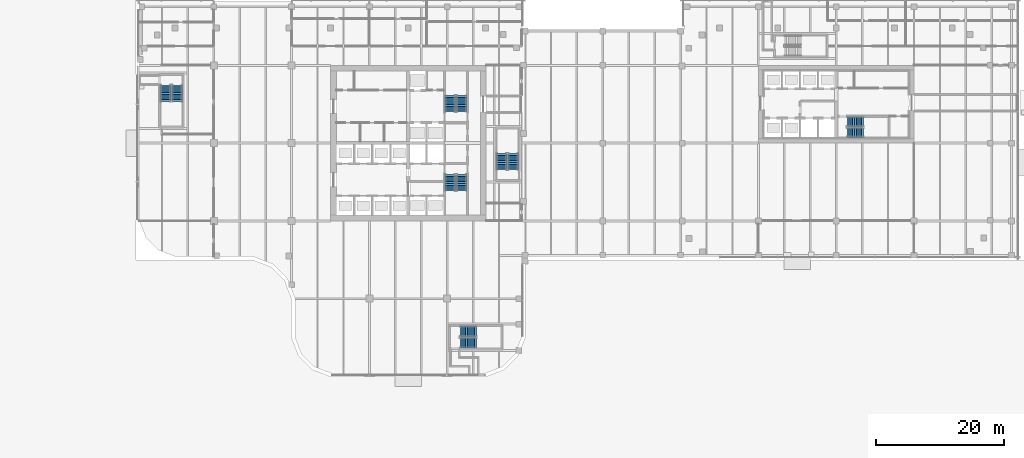
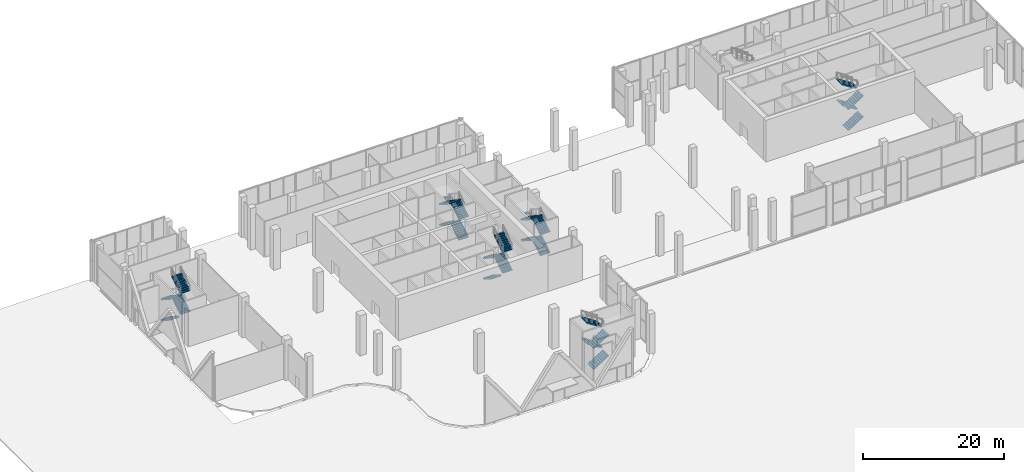
# One storey, part 26 of 36: 24 stair flights, 6 elements without a shape of their own.
"""IFC4 building model written with IfcOpenShell, lengths in metres."""

from ifc_helpers import new_model, si_unit, direction, frame, origin, place, context, subcontext, project, spatial, polyline, outline, extrude, material, type_object, element, aggregate, save


model = new_model("IFC4")

# Units and contexts
model_context = context("Model", 3, precision=1e-05, world=origin(), true_north=direction((0.0, 1.0)))
body_context = subcontext(model_context, "Body", "Model", "MODEL_VIEW")
ifc_project = project(units=[si_unit("LENGTHUNIT", "METRE"), si_unit("AREAUNIT", "SQUARE_METRE"), si_unit("VOLUMEUNIT", "CUBIC_METRE"), si_unit("PLANEANGLEUNIT", "RADIAN"), si_unit("MASSUNIT", "GRAM", prefix="KILO")], contexts=[model_context])

# Site, building, storey
site_placement = place(None, origin())
site = spatial("IfcSite", under=ifc_project, at=site_placement, CompositionType="ELEMENT")
building_placement = place(site_placement, origin())
building = spatial("IfcBuilding", under=site, at=building_placement, Name="Tessera Gate Towers", CompositionType="ELEMENT")
storey_placement = place(building_placement, origin())
storey = spatial("IfcBuildingStorey", under=building, at=storey_placement, Name="L00", CompositionType="ELEMENT", Elevation=0.0)

# Stair, stair flights
ifc_material_1 = material(Name="Concrete C40/50", Category="concrete")
stair_type_1 = type_object("IfcStairType", Name="EXIT STAIR ST1E 1600", PredefinedType="HALF_TURN_STAIR", material=ifc_material_1)
stair_1_placement = place(storey_placement, origin())
stair_1 = element("IfcStair", 1, at=stair_1_placement, inside=storey, type_object=stair_type_1, Name="L00 Protected Exit Stair ST1", PredefinedType="HALF_TURN_STAIR")
ifc_material_2 = material(Name="Concrete C40/50", Category="concrete")
stair_flight_type_1 = type_object("IfcStairFlightType", Name="EXIT STAIR FLIGHT ST1E 1600", PredefinedType="STRAIGHT", material=ifc_material_2)
stair_flight_1_placement = place(storey_placement, frame((49.27490234375, 31.675048828125, 0.0), z_axis=(0.0, 0.0, 1.0), x_axis=(0.0, -1.0, 0.0)))
stair_flight_1 = element("IfcStairFlight", 2, at=stair_flight_1_placement, type_object=stair_flight_type_1, Name="ST1 flight 1", NumberOfRisers=10, NumberOfTreads=9, PredefinedType="STRAIGHT", RiserHeight=0.18, TreadLength=0.28, context=body_context, shape_type="SweptSolid", body=[
    extrude(outline(polyline([(0.0, 0.0), (0.0, 0.179931640625), (0.280029296875, 0.179931640625), (0.280029296875, 0.360107421875), (0.56005859375, 0.360107421875), (0.56005859375, 0.5400390625), (0.840087890625, 0.5400390625), (0.840087890625, 0.719970703125), (1.1201171875, 0.719970703125), (1.1201171875, 0.89990234375), (1.39990234375, 0.89990234375), (1.39990234375, 1.080078125), (1.679931640625, 1.080078125), (1.679931640625, 1.260009765625), (1.9599609375, 1.260009765625), (1.9599609375, 1.43994140625), (2.239990234375, 1.43994140625), (2.239990234375, 1.6201171875), (2.52001953125, 1.6201171875), (2.52001953125, 1.800048828125), (2.52001953125, 1.44189453125), (0.277099609375, 0.0), (0.0, 0.0)])), frame((0.0, 0.800048828125, 0.0), z_axis=(0.0, -1.0, 0.0), x_axis=(1.0, 0.0, 0.0)), (0.0, 0.0, 1.0), 1.60009765625),
])
stair_flight_2_placement = place(storey_placement, frame((51.074951171875, 29.155029296875, 1.800048828125), z_axis=(0.0, 0.0, 1.0), x_axis=(0.0, 1.0, 0.0)))
stair_flight_2 = element("IfcStairFlight", 3, at=stair_flight_2_placement, type_object=stair_flight_type_1, Name="ST1 flight 2", NumberOfRisers=10, NumberOfTreads=9, PredefinedType="STRAIGHT", RiserHeight=0.18, TreadLength=0.28, context=body_context, shape_type="SweptSolid", body=[
    extrude(outline(polyline([(0.0, 0.0), (0.0, 0.179931640625), (0.280029296875, 0.179931640625), (0.280029296875, 0.360107421875), (0.56005859375, 0.360107421875), (0.56005859375, 0.5400390625), (0.840087890625, 0.5400390625), (0.840087890625, 0.719970703125), (1.1201171875, 0.719970703125), (1.1201171875, 0.89990234375), (1.39990234375, 0.89990234375), (1.39990234375, 1.080078125), (1.679931640625, 1.080078125), (1.679931640625, 1.260009765625), (1.9599609375, 1.260009765625), (1.9599609375, 1.43994140625), (2.239990234375, 1.43994140625), (2.239990234375, 1.6201171875), (2.52001953125, 1.6201171875), (2.52001953125, 1.800048828125), (2.52001953125, 1.44189453125), (0.277099609375, 0.0), (0.0, 0.0)])), frame((0.0, 0.800048828125, 0.0), z_axis=(0.0, -1.0, 0.0), x_axis=(1.0, 0.0, 0.0)), (0.0, 0.0, 1.0), 1.60009765625),
])
stair_flight_3_placement = place(storey_placement, frame((49.27490234375, 31.675048828125, 3.60009765625), z_axis=(0.0, 0.0, 1.0), x_axis=(0.0, -1.0, 0.0)))
stair_flight_3 = element("IfcStairFlight", 4, at=stair_flight_3_placement, type_object=stair_flight_type_1, Name="ST1 flight 3", NumberOfRisers=10, NumberOfTreads=9, PredefinedType="STRAIGHT", RiserHeight=0.18, TreadLength=0.28, context=body_context, shape_type="SweptSolid", body=[
    extrude(outline(polyline([(0.0, 0.0), (0.0, 0.179931640625), (0.280029296875, 0.179931640625), (0.280029296875, 0.360107421875), (0.56005859375, 0.360107421875), (0.56005859375, 0.5400390625), (0.840087890625, 0.5400390625), (0.840087890625, 0.719970703125), (1.1201171875, 0.719970703125), (1.1201171875, 0.89990234375), (1.39990234375, 0.89990234375), (1.39990234375, 1.080078125), (1.679931640625, 1.080078125), (1.679931640625, 1.260009765625), (1.9599609375, 1.260009765625), (1.9599609375, 1.43994140625), (2.239990234375, 1.43994140625), (2.239990234375, 1.6201171875), (2.52001953125, 1.6201171875), (2.52001953125, 1.800048828125), (2.52001953125, 1.44189453125), (0.277099609375, 0.0), (0.0, 0.0)])), frame((0.0, 0.800048828125, 0.0), z_axis=(0.0, -1.0, 0.0), x_axis=(1.0, 0.0, 0.0)), (0.0, 0.0, 1.0), 1.60009765625),
])
stair_flight_4_placement = place(storey_placement, frame((51.074951171875, 29.155029296875, 5.39990234375), z_axis=(0.0, 0.0, 1.0), x_axis=(0.0, 1.0, 0.0)))
stair_flight_4 = element("IfcStairFlight", 5, at=stair_flight_4_placement, type_object=stair_flight_type_1, Name="ST1 flight 4", NumberOfRisers=10, NumberOfTreads=9, PredefinedType="STRAIGHT", RiserHeight=0.18, TreadLength=0.28, context=body_context, shape_type="SweptSolid", body=[
    extrude(outline(polyline([(0.0, 0.0), (0.0, 0.179931640625), (0.280029296875, 0.179931640625), (0.280029296875, 0.360107421875), (0.56005859375, 0.360107421875), (0.56005859375, 0.5400390625), (0.840087890625, 0.5400390625), (0.840087890625, 0.719970703125), (1.1201171875, 0.719970703125), (1.1201171875, 0.89990234375), (1.39990234375, 0.89990234375), (1.39990234375, 1.080078125), (1.679931640625, 1.080078125), (1.679931640625, 1.260009765625), (1.9599609375, 1.260009765625), (1.9599609375, 1.43994140625), (2.239990234375, 1.43994140625), (2.239990234375, 1.6201171875), (2.52001953125, 1.6201171875), (2.52001953125, 1.800048828125), (2.52001953125, 1.44189453125), (0.277099609375, 0.0), (0.0, 0.0)])), frame((0.0, 0.800048828125, 0.0), z_axis=(0.0, -1.0, 0.0), x_axis=(1.0, 0.0, 0.0)), (0.0, 0.0, 1.0), 1.60009765625),
])
aggregate(stair_1, [stair_flight_1, stair_flight_2, stair_flight_3, stair_flight_4])

ifc_material_3 = material(Name="Concrete C40/50", Category="concrete")
stair_type_2 = type_object("IfcStairType", Name="EXIT STAIR ST2E 1600", PredefinedType="HALF_TURN_STAIR", material=ifc_material_3)
stair_2_placement = place(storey_placement, origin())
stair_2 = element("IfcStair", 6, at=stair_2_placement, inside=storey, type_object=stair_type_2, Name="L00 Protected Exit Stair ST2", PredefinedType="HALF_TURN_STAIR")
ifc_material_4 = material(Name="Concrete C40/50", Category="concrete")
stair_flight_type_2 = type_object("IfcStairFlightType", Name="EXIT STAIR FLIGHT ST2E 1600", PredefinedType="STRAIGHT", material=ifc_material_4)
stair_flight_5_placement = place(storey_placement, frame((51.074951171875, 41.52490234375, 0.0), z_axis=(0.0, 0.0, 1.0), x_axis=(0.0, 1.0, 0.0)))
stair_flight_5 = element("IfcStairFlight", 7, at=stair_flight_5_placement, type_object=stair_flight_type_2, Name="ST2 flight 1", NumberOfRisers=10, NumberOfTreads=9, PredefinedType="STRAIGHT", RiserHeight=0.18, TreadLength=0.28, context=body_context, shape_type="SweptSolid", body=[
    extrude(outline(polyline([(0.0, 0.0), (0.0, 0.179931640625), (0.280029296875, 0.179931640625), (0.280029296875, 0.360107421875), (0.56005859375, 0.360107421875), (0.56005859375, 0.5400390625), (0.840087890625, 0.5400390625), (0.840087890625, 0.719970703125), (1.1201171875, 0.719970703125), (1.1201171875, 0.89990234375), (1.39990234375, 0.89990234375), (1.39990234375, 1.080078125), (1.679931640625, 1.080078125), (1.679931640625, 1.260009765625), (1.9599609375, 1.260009765625), (1.9599609375, 1.43994140625), (2.239990234375, 1.43994140625), (2.239990234375, 1.6201171875), (2.52001953125, 1.6201171875), (2.52001953125, 1.800048828125), (2.52001953125, 1.44189453125), (0.277099609375, 0.0), (0.0, 0.0)])), frame((0.0, 0.800048828125, 0.0), z_axis=(0.0, -1.0, 0.0), x_axis=(1.0, 0.0, 0.0)), (0.0, 0.0, 1.0), 1.60009765625),
])
stair_flight_6_placement = place(storey_placement, frame((49.27490234375, 44.044921875, 1.800048828125), z_axis=(0.0, 0.0, 1.0), x_axis=(0.0, -1.0, 0.0)))
stair_flight_6 = element("IfcStairFlight", 8, at=stair_flight_6_placement, type_object=stair_flight_type_2, Name="ST2 flight 2", NumberOfRisers=10, NumberOfTreads=9, PredefinedType="STRAIGHT", RiserHeight=0.18, TreadLength=0.28, context=body_context, shape_type="SweptSolid", body=[
    extrude(outline(polyline([(0.0, 0.0), (0.0, 0.179931640625), (0.280029296875, 0.179931640625), (0.280029296875, 0.360107421875), (0.56005859375, 0.360107421875), (0.56005859375, 0.5400390625), (0.840087890625, 0.5400390625), (0.840087890625, 0.719970703125), (1.1201171875, 0.719970703125), (1.1201171875, 0.89990234375), (1.39990234375, 0.89990234375), (1.39990234375, 1.080078125), (1.679931640625, 1.080078125), (1.679931640625, 1.260009765625), (1.9599609375, 1.260009765625), (1.9599609375, 1.43994140625), (2.239990234375, 1.43994140625), (2.239990234375, 1.6201171875), (2.52001953125, 1.6201171875), (2.52001953125, 1.800048828125), (2.52001953125, 1.44189453125), (0.277099609375, 0.0), (0.0, 0.0)])), frame((0.0, 0.800048828125, 0.0), z_axis=(0.0, -1.0, 0.0), x_axis=(1.0, 0.0, 0.0)), (0.0, 0.0, 1.0), 1.60009765625),
])
stair_flight_7_placement = place(storey_placement, frame((51.074951171875, 41.52490234375, 3.60009765625), z_axis=(0.0, 0.0, 1.0), x_axis=(0.0, 1.0, 0.0)))
stair_flight_7 = element("IfcStairFlight", 9, at=stair_flight_7_placement, type_object=stair_flight_type_2, Name="ST2 flight 3", NumberOfRisers=10, NumberOfTreads=9, PredefinedType="STRAIGHT", RiserHeight=0.18, TreadLength=0.28, context=body_context, shape_type="SweptSolid", body=[
    extrude(outline(polyline([(0.0, 0.0), (0.0, 0.179931640625), (0.280029296875, 0.179931640625), (0.280029296875, 0.360107421875), (0.56005859375, 0.360107421875), (0.56005859375, 0.5400390625), (0.840087890625, 0.5400390625), (0.840087890625, 0.719970703125), (1.1201171875, 0.719970703125), (1.1201171875, 0.89990234375), (1.39990234375, 0.89990234375), (1.39990234375, 1.080078125), (1.679931640625, 1.080078125), (1.679931640625, 1.260009765625), (1.9599609375, 1.260009765625), (1.9599609375, 1.43994140625), (2.239990234375, 1.43994140625), (2.239990234375, 1.6201171875), (2.52001953125, 1.6201171875), (2.52001953125, 1.800048828125), (2.52001953125, 1.44189453125), (0.277099609375, 0.0), (0.0, 0.0)])), frame((0.0, 0.800048828125, 0.0), z_axis=(0.0, -1.0, 0.0), x_axis=(1.0, 0.0, 0.0)), (0.0, 0.0, 1.0), 1.60009765625),
])
stair_flight_8_placement = place(storey_placement, frame((49.27490234375, 44.044921875, 5.39990234375), z_axis=(0.0, 0.0, 1.0), x_axis=(0.0, -1.0, 0.0)))
stair_flight_8 = element("IfcStairFlight", 10, at=stair_flight_8_placement, type_object=stair_flight_type_2, Name="ST2 flight 4", NumberOfRisers=10, NumberOfTreads=9, PredefinedType="STRAIGHT", RiserHeight=0.18, TreadLength=0.28, context=body_context, shape_type="SweptSolid", body=[
    extrude(outline(polyline([(0.0, 0.0), (0.0, 0.179931640625), (0.280029296875, 0.179931640625), (0.280029296875, 0.360107421875), (0.56005859375, 0.360107421875), (0.56005859375, 0.5400390625), (0.840087890625, 0.5400390625), (0.840087890625, 0.719970703125), (1.1201171875, 0.719970703125), (1.1201171875, 0.89990234375), (1.39990234375, 0.89990234375), (1.39990234375, 1.080078125), (1.679931640625, 1.080078125), (1.679931640625, 1.260009765625), (1.9599609375, 1.260009765625), (1.9599609375, 1.43994140625), (2.239990234375, 1.43994140625), (2.239990234375, 1.6201171875), (2.52001953125, 1.6201171875), (2.52001953125, 1.800048828125), (2.52001953125, 1.44189453125), (0.277099609375, 0.0), (0.0, 0.0)])), frame((0.0, 0.800048828125, 0.0), z_axis=(0.0, -1.0, 0.0), x_axis=(1.0, 0.0, 0.0)), (0.0, 0.0, 1.0), 1.60009765625),
])
aggregate(stair_2, [stair_flight_5, stair_flight_6, stair_flight_7, stair_flight_8])

ifc_material_5 = material(Name="Concrete C40/50", Category="concrete")
stair_type_3 = type_object("IfcStairType", Name="EXIT STAIR ST3D 1600", PredefinedType="HALF_TURN_STAIR", material=ifc_material_5)
stair_3_placement = place(storey_placement, origin())
stair_3 = element("IfcStair", 11, at=stair_3_placement, inside=storey, type_object=stair_type_3, Name="L00 West Exit Stair ST3", PredefinedType="HALF_TURN_STAIR")
ifc_material_6 = material(Name="Concrete C40/50", Category="concrete")
stair_flight_type_3 = type_object("IfcStairFlightType", Name="EXIT STAIR FLIGHT ST3D 1600", PredefinedType="STRAIGHT", material=ifc_material_6)
stair_flight_9_placement = place(storey_placement, frame((4.64990234375, 45.64990234375, 0.0), z_axis=(0.0, 0.0, 1.0), x_axis=(0.0, -1.0, 0.0)))
stair_flight_9 = element("IfcStairFlight", 12, at=stair_flight_9_placement, type_object=stair_flight_type_3, Name="ST3 flight 1", NumberOfRisers=10, NumberOfTreads=9, PredefinedType="STRAIGHT", RiserHeight=0.18, TreadLength=0.28, context=body_context, shape_type="SweptSolid", body=[
    extrude(outline(polyline([(0.0, 0.0), (0.0, 0.179931640625), (0.280029296875, 0.179931640625), (0.280029296875, 0.360107421875), (0.56005859375, 0.360107421875), (0.56005859375, 0.5400390625), (0.840087890625, 0.5400390625), (0.840087890625, 0.719970703125), (1.1201171875, 0.719970703125), (1.1201171875, 0.89990234375), (1.39990234375, 0.89990234375), (1.39990234375, 1.080078125), (1.679931640625, 1.080078125), (1.679931640625, 1.260009765625), (1.9599609375, 1.260009765625), (1.9599609375, 1.43994140625), (2.239990234375, 1.43994140625), (2.239990234375, 1.6201171875), (2.52001953125, 1.6201171875), (2.52001953125, 1.800048828125), (2.52001953125, 1.44189453125), (0.277099609375, 0.0), (0.0, 0.0)])), frame((0.0, 0.800048828125, 0.0), z_axis=(0.0, -1.0, 0.0), x_axis=(1.0, 0.0, 0.0)), (0.0, 0.0, 1.0), 1.60009765625),
])
stair_flight_10_placement = place(storey_placement, frame((6.449951171875, 43.1298828125, 1.800048828125), z_axis=(0.0, 0.0, 1.0), x_axis=(0.0, 1.0, 0.0)))
stair_flight_10 = element("IfcStairFlight", 13, at=stair_flight_10_placement, type_object=stair_flight_type_3, Name="ST3 flight 2", NumberOfRisers=10, NumberOfTreads=9, PredefinedType="STRAIGHT", RiserHeight=0.18, TreadLength=0.28, context=body_context, shape_type="SweptSolid", body=[
    extrude(outline(polyline([(0.0, 0.0), (0.0, 0.179931640625), (0.280029296875, 0.179931640625), (0.280029296875, 0.360107421875), (0.56005859375, 0.360107421875), (0.56005859375, 0.5400390625), (0.840087890625, 0.5400390625), (0.840087890625, 0.719970703125), (1.1201171875, 0.719970703125), (1.1201171875, 0.89990234375), (1.39990234375, 0.89990234375), (1.39990234375, 1.080078125), (1.679931640625, 1.080078125), (1.679931640625, 1.260009765625), (1.9599609375, 1.260009765625), (1.9599609375, 1.43994140625), (2.239990234375, 1.43994140625), (2.239990234375, 1.6201171875), (2.52001953125, 1.6201171875), (2.52001953125, 1.800048828125), (2.52001953125, 1.44189453125), (0.277099609375, 0.0), (0.0, 0.0)])), frame((0.0, 0.800048828125, 0.0), z_axis=(0.0, -1.0, 0.0), x_axis=(1.0, 0.0, 0.0)), (0.0, 0.0, 1.0), 1.60009765625),
])
stair_flight_11_placement = place(storey_placement, frame((4.64990234375, 45.64990234375, 3.60009765625), z_axis=(0.0, 0.0, 1.0), x_axis=(0.0, -1.0, 0.0)))
stair_flight_11 = element("IfcStairFlight", 14, at=stair_flight_11_placement, type_object=stair_flight_type_3, Name="ST3 flight 3", NumberOfRisers=10, NumberOfTreads=9, PredefinedType="STRAIGHT", RiserHeight=0.18, TreadLength=0.28, context=body_context, shape_type="SweptSolid", body=[
    extrude(outline(polyline([(0.0, 0.0), (0.0, 0.179931640625), (0.280029296875, 0.179931640625), (0.280029296875, 0.360107421875), (0.56005859375, 0.360107421875), (0.56005859375, 0.5400390625), (0.840087890625, 0.5400390625), (0.840087890625, 0.719970703125), (1.1201171875, 0.719970703125), (1.1201171875, 0.89990234375), (1.39990234375, 0.89990234375), (1.39990234375, 1.080078125), (1.679931640625, 1.080078125), (1.679931640625, 1.260009765625), (1.9599609375, 1.260009765625), (1.9599609375, 1.43994140625), (2.239990234375, 1.43994140625), (2.239990234375, 1.6201171875), (2.52001953125, 1.6201171875), (2.52001953125, 1.800048828125), (2.52001953125, 1.44189453125), (0.277099609375, 0.0), (0.0, 0.0)])), frame((0.0, 0.800048828125, 0.0), z_axis=(0.0, -1.0, 0.0), x_axis=(1.0, 0.0, 0.0)), (0.0, 0.0, 1.0), 1.60009765625),
])
stair_flight_12_placement = place(storey_placement, frame((6.449951171875, 43.1298828125, 5.39990234375), z_axis=(0.0, 0.0, 1.0), x_axis=(0.0, 1.0, 0.0)))
stair_flight_12 = element("IfcStairFlight", 15, at=stair_flight_12_placement, type_object=stair_flight_type_3, Name="ST3 flight 4", NumberOfRisers=10, NumberOfTreads=9, PredefinedType="STRAIGHT", RiserHeight=0.18, TreadLength=0.28, context=body_context, shape_type="SweptSolid", body=[
    extrude(outline(polyline([(0.0, 0.0), (0.0, 0.179931640625), (0.280029296875, 0.179931640625), (0.280029296875, 0.360107421875), (0.56005859375, 0.360107421875), (0.56005859375, 0.5400390625), (0.840087890625, 0.5400390625), (0.840087890625, 0.719970703125), (1.1201171875, 0.719970703125), (1.1201171875, 0.89990234375), (1.39990234375, 0.89990234375), (1.39990234375, 1.080078125), (1.679931640625, 1.080078125), (1.679931640625, 1.260009765625), (1.9599609375, 1.260009765625), (1.9599609375, 1.43994140625), (2.239990234375, 1.43994140625), (2.239990234375, 1.6201171875), (2.52001953125, 1.6201171875), (2.52001953125, 1.800048828125), (2.52001953125, 1.44189453125), (0.277099609375, 0.0), (0.0, 0.0)])), frame((0.0, 0.800048828125, 0.0), z_axis=(0.0, -1.0, 0.0), x_axis=(1.0, 0.0, 0.0)), (0.0, 0.0, 1.0), 1.60009765625),
])
aggregate(stair_3, [stair_flight_9, stair_flight_10, stair_flight_11, stair_flight_12])

ifc_material_7 = material(Name="Concrete C40/50", Category="concrete")
stair_type_4 = type_object("IfcStairType", Name="EXIT STAIR ST4D 1600", PredefinedType="HALF_TURN_STAIR", material=ifc_material_7)
stair_4_placement = place(storey_placement, origin())
stair_4 = element("IfcStair", 16, at=stair_4_placement, inside=storey, type_object=stair_type_4, Name="L00 South Exit Stair ST4", PredefinedType="HALF_TURN_STAIR")
ifc_material_8 = material(Name="Concrete C40/50", Category="concrete")
stair_flight_type_4 = type_object("IfcStairFlightType", Name="EXIT STAIR FLIGHT ST4D 1600", PredefinedType="STRAIGHT", material=ifc_material_8)
stair_flight_13_placement = place(storey_placement, frame((50.85009765625, 5.25, 0.0), z_axis=(0.0, 0.0, 1.0), x_axis=(1.0, 0.0, 0.0)))
stair_flight_13 = element("IfcStairFlight", 17, at=stair_flight_13_placement, type_object=stair_flight_type_4, Name="ST4 flight 1", NumberOfRisers=10, NumberOfTreads=9, PredefinedType="STRAIGHT", RiserHeight=0.18, TreadLength=0.28, context=body_context, shape_type="SweptSolid", body=[
    extrude(outline(polyline([(0.0, 0.0), (0.0, 0.179931640625), (0.280029296875, 0.179931640625), (0.280029296875, 0.360107421875), (0.56005859375, 0.360107421875), (0.56005859375, 0.5400390625), (0.840087890625, 0.5400390625), (0.840087890625, 0.719970703125), (1.1201171875, 0.719970703125), (1.1201171875, 0.89990234375), (1.39990234375, 0.89990234375), (1.39990234375, 1.080078125), (1.679931640625, 1.080078125), (1.679931640625, 1.260009765625), (1.9599609375, 1.260009765625), (1.9599609375, 1.43994140625), (2.239990234375, 1.43994140625), (2.239990234375, 1.6201171875), (2.52001953125, 1.6201171875), (2.52001953125, 1.800048828125), (2.52001953125, 1.44189453125), (0.277099609375, 0.0), (0.0, 0.0)])), frame((0.0, 0.800048828125, 0.0), z_axis=(0.0, -1.0, 0.0), x_axis=(1.0, 0.0, 0.0)), (0.0, 0.0, 1.0), 1.60009765625),
])
stair_flight_14_placement = place(storey_placement, frame((53.3701171875, 7.050048828125, 1.800048828125), z_axis=(0.0, 0.0, 1.0), x_axis=(-1.0, 0.0, 0.0)))
stair_flight_14 = element("IfcStairFlight", 18, at=stair_flight_14_placement, type_object=stair_flight_type_4, Name="ST4 flight 2", NumberOfRisers=10, NumberOfTreads=9, PredefinedType="STRAIGHT", RiserHeight=0.18, TreadLength=0.28, context=body_context, shape_type="SweptSolid", body=[
    extrude(outline(polyline([(0.0, 0.0), (0.0, 0.179931640625), (0.280029296875, 0.179931640625), (0.280029296875, 0.360107421875), (0.56005859375, 0.360107421875), (0.56005859375, 0.5400390625), (0.840087890625, 0.5400390625), (0.840087890625, 0.719970703125), (1.1201171875, 0.719970703125), (1.1201171875, 0.89990234375), (1.39990234375, 0.89990234375), (1.39990234375, 1.080078125), (1.679931640625, 1.080078125), (1.679931640625, 1.260009765625), (1.9599609375, 1.260009765625), (1.9599609375, 1.43994140625), (2.239990234375, 1.43994140625), (2.239990234375, 1.6201171875), (2.52001953125, 1.6201171875), (2.52001953125, 1.800048828125), (2.52001953125, 1.44189453125), (0.277099609375, 0.0), (0.0, 0.0)])), frame((0.0, 0.800048828125, 0.0), z_axis=(0.0, -1.0, 0.0), x_axis=(1.0, 0.0, 0.0)), (0.0, 0.0, 1.0), 1.60009765625),
])
stair_flight_15_placement = place(storey_placement, frame((50.85009765625, 5.25, 3.60009765625), z_axis=(0.0, 0.0, 1.0), x_axis=(1.0, 0.0, 0.0)))
stair_flight_15 = element("IfcStairFlight", 19, at=stair_flight_15_placement, type_object=stair_flight_type_4, Name="ST4 flight 3", NumberOfRisers=10, NumberOfTreads=9, PredefinedType="STRAIGHT", RiserHeight=0.18, TreadLength=0.28, context=body_context, shape_type="SweptSolid", body=[
    extrude(outline(polyline([(0.0, 0.0), (0.0, 0.179931640625), (0.280029296875, 0.179931640625), (0.280029296875, 0.360107421875), (0.56005859375, 0.360107421875), (0.56005859375, 0.5400390625), (0.840087890625, 0.5400390625), (0.840087890625, 0.719970703125), (1.1201171875, 0.719970703125), (1.1201171875, 0.89990234375), (1.39990234375, 0.89990234375), (1.39990234375, 1.080078125), (1.679931640625, 1.080078125), (1.679931640625, 1.260009765625), (1.9599609375, 1.260009765625), (1.9599609375, 1.43994140625), (2.239990234375, 1.43994140625), (2.239990234375, 1.6201171875), (2.52001953125, 1.6201171875), (2.52001953125, 1.800048828125), (2.52001953125, 1.44189453125), (0.277099609375, 0.0), (0.0, 0.0)])), frame((0.0, 0.800048828125, 0.0), z_axis=(0.0, -1.0, 0.0), x_axis=(1.0, 0.0, 0.0)), (0.0, 0.0, 1.0), 1.60009765625),
])
stair_flight_16_placement = place(storey_placement, frame((53.3701171875, 7.050048828125, 5.39990234375), z_axis=(0.0, 0.0, 1.0), x_axis=(-1.0, 0.0, 0.0)))
stair_flight_16 = element("IfcStairFlight", 20, at=stair_flight_16_placement, type_object=stair_flight_type_4, Name="ST4 flight 4", NumberOfRisers=10, NumberOfTreads=9, PredefinedType="STRAIGHT", RiserHeight=0.18, TreadLength=0.28, context=body_context, shape_type="SweptSolid", body=[
    extrude(outline(polyline([(0.0, 0.0), (0.0, 0.179931640625), (0.280029296875, 0.179931640625), (0.280029296875, 0.360107421875), (0.56005859375, 0.360107421875), (0.56005859375, 0.5400390625), (0.840087890625, 0.5400390625), (0.840087890625, 0.719970703125), (1.1201171875, 0.719970703125), (1.1201171875, 0.89990234375), (1.39990234375, 0.89990234375), (1.39990234375, 1.080078125), (1.679931640625, 1.080078125), (1.679931640625, 1.260009765625), (1.9599609375, 1.260009765625), (1.9599609375, 1.43994140625), (2.239990234375, 1.43994140625), (2.239990234375, 1.6201171875), (2.52001953125, 1.6201171875), (2.52001953125, 1.800048828125), (2.52001953125, 1.44189453125), (0.277099609375, 0.0), (0.0, 0.0)])), frame((0.0, 0.800048828125, 0.0), z_axis=(0.0, -1.0, 0.0), x_axis=(1.0, 0.0, 0.0)), (0.0, 0.0, 1.0), 1.60009765625),
])
aggregate(stair_4, [stair_flight_13, stair_flight_14, stair_flight_15, stair_flight_16])

ifc_material_9 = material(Name="Concrete C40/50", Category="concrete")
stair_type_5 = type_object("IfcStairType", Name="EXIT STAIR ST5D 1600", PredefinedType="HALF_TURN_STAIR", material=ifc_material_9)
stair_5_placement = place(storey_placement, origin())
stair_5 = element("IfcStair", 21, at=stair_5_placement, inside=storey, type_object=stair_type_5, Name="L00 East Exit Stair ST5", PredefinedType="HALF_TURN_STAIR")
ifc_material_10 = material(Name="Concrete C40/50", Category="concrete")
stair_flight_type_5 = type_object("IfcStairFlightType", Name="EXIT STAIR FLIGHT ST5D 1600", PredefinedType="STRAIGHT", material=ifc_material_10)
stair_flight_17_placement = place(storey_placement, frame((59.14990234375, 32.449951171875, 0.0), z_axis=(0.0, 0.0, 1.0), x_axis=(0.0, 1.0, 0.0)))
stair_flight_17 = element("IfcStairFlight", 22, at=stair_flight_17_placement, type_object=stair_flight_type_5, Name="ST5 flight 1", NumberOfRisers=10, NumberOfTreads=9, PredefinedType="STRAIGHT", RiserHeight=0.18, TreadLength=0.28, context=body_context, shape_type="SweptSolid", body=[
    extrude(outline(polyline([(0.0, 0.0), (0.0, 0.179931640625), (0.280029296875, 0.179931640625), (0.280029296875, 0.360107421875), (0.56005859375, 0.360107421875), (0.56005859375, 0.5400390625), (0.840087890625, 0.5400390625), (0.840087890625, 0.719970703125), (1.1201171875, 0.719970703125), (1.1201171875, 0.89990234375), (1.39990234375, 0.89990234375), (1.39990234375, 1.080078125), (1.679931640625, 1.080078125), (1.679931640625, 1.260009765625), (1.9599609375, 1.260009765625), (1.9599609375, 1.43994140625), (2.239990234375, 1.43994140625), (2.239990234375, 1.6201171875), (2.52001953125, 1.6201171875), (2.52001953125, 1.800048828125), (2.52001953125, 1.44189453125), (0.277099609375, 0.0), (0.0, 0.0)])), frame((0.0, 0.800048828125, 0.0), z_axis=(0.0, -1.0, 0.0), x_axis=(1.0, 0.0, 0.0)), (0.0, 0.0, 1.0), 1.60009765625),
])
stair_flight_18_placement = place(storey_placement, frame((57.35009765625, 34.969970703125, 1.800048828125), z_axis=(0.0, 0.0, 1.0), x_axis=(0.0, -1.0, 0.0)))
stair_flight_18 = element("IfcStairFlight", 23, at=stair_flight_18_placement, type_object=stair_flight_type_5, Name="ST5 flight 2", NumberOfRisers=10, NumberOfTreads=9, PredefinedType="STRAIGHT", RiserHeight=0.18, TreadLength=0.28, context=body_context, shape_type="SweptSolid", body=[
    extrude(outline(polyline([(0.0, 0.0), (0.0, 0.179931640625), (0.280029296875, 0.179931640625), (0.280029296875, 0.360107421875), (0.56005859375, 0.360107421875), (0.56005859375, 0.5400390625), (0.840087890625, 0.5400390625), (0.840087890625, 0.719970703125), (1.1201171875, 0.719970703125), (1.1201171875, 0.89990234375), (1.39990234375, 0.89990234375), (1.39990234375, 1.080078125), (1.679931640625, 1.080078125), (1.679931640625, 1.260009765625), (1.9599609375, 1.260009765625), (1.9599609375, 1.43994140625), (2.239990234375, 1.43994140625), (2.239990234375, 1.6201171875), (2.52001953125, 1.6201171875), (2.52001953125, 1.800048828125), (2.52001953125, 1.44189453125), (0.277099609375, 0.0), (0.0, 0.0)])), frame((0.0, 0.800048828125, 0.0), z_axis=(0.0, -1.0, 0.0), x_axis=(1.0, 0.0, 0.0)), (0.0, 0.0, 1.0), 1.60009765625),
])
stair_flight_19_placement = place(storey_placement, frame((59.14990234375, 32.449951171875, 3.60009765625), z_axis=(0.0, 0.0, 1.0), x_axis=(0.0, 1.0, 0.0)))
stair_flight_19 = element("IfcStairFlight", 24, at=stair_flight_19_placement, type_object=stair_flight_type_5, Name="ST5 flight 3", NumberOfRisers=10, NumberOfTreads=9, PredefinedType="STRAIGHT", RiserHeight=0.18, TreadLength=0.28, context=body_context, shape_type="SweptSolid", body=[
    extrude(outline(polyline([(0.0, 0.0), (0.0, 0.179931640625), (0.280029296875, 0.179931640625), (0.280029296875, 0.360107421875), (0.56005859375, 0.360107421875), (0.56005859375, 0.5400390625), (0.840087890625, 0.5400390625), (0.840087890625, 0.719970703125), (1.1201171875, 0.719970703125), (1.1201171875, 0.89990234375), (1.39990234375, 0.89990234375), (1.39990234375, 1.080078125), (1.679931640625, 1.080078125), (1.679931640625, 1.260009765625), (1.9599609375, 1.260009765625), (1.9599609375, 1.43994140625), (2.239990234375, 1.43994140625), (2.239990234375, 1.6201171875), (2.52001953125, 1.6201171875), (2.52001953125, 1.800048828125), (2.52001953125, 1.44189453125), (0.277099609375, 0.0), (0.0, 0.0)])), frame((0.0, 0.800048828125, 0.0), z_axis=(0.0, -1.0, 0.0), x_axis=(1.0, 0.0, 0.0)), (0.0, 0.0, 1.0), 1.60009765625),
])
stair_flight_20_placement = place(storey_placement, frame((57.35009765625, 34.969970703125, 5.39990234375), z_axis=(0.0, 0.0, 1.0), x_axis=(0.0, -1.0, 0.0)))
stair_flight_20 = element("IfcStairFlight", 25, at=stair_flight_20_placement, type_object=stair_flight_type_5, Name="ST5 flight 4", NumberOfRisers=10, NumberOfTreads=9, PredefinedType="STRAIGHT", RiserHeight=0.18, TreadLength=0.28, context=body_context, shape_type="SweptSolid", body=[
    extrude(outline(polyline([(0.0, 0.0), (0.0, 0.179931640625), (0.280029296875, 0.179931640625), (0.280029296875, 0.360107421875), (0.56005859375, 0.360107421875), (0.56005859375, 0.5400390625), (0.840087890625, 0.5400390625), (0.840087890625, 0.719970703125), (1.1201171875, 0.719970703125), (1.1201171875, 0.89990234375), (1.39990234375, 0.89990234375), (1.39990234375, 1.080078125), (1.679931640625, 1.080078125), (1.679931640625, 1.260009765625), (1.9599609375, 1.260009765625), (1.9599609375, 1.43994140625), (2.239990234375, 1.43994140625), (2.239990234375, 1.6201171875), (2.52001953125, 1.6201171875), (2.52001953125, 1.800048828125), (2.52001953125, 1.44189453125), (0.277099609375, 0.0), (0.0, 0.0)])), frame((0.0, 0.800048828125, 0.0), z_axis=(0.0, -1.0, 0.0), x_axis=(1.0, 0.0, 0.0)), (0.0, 0.0, 1.0), 1.60009765625),
])
aggregate(stair_5, [stair_flight_17, stair_flight_18, stair_flight_19, stair_flight_20])

ifc_material_11 = material(Name="Concrete C40/50", Category="concrete")
stair_type_6 = type_object("IfcStairType", Name="EXIT STAIR ST6D 1500", PredefinedType="HALF_TURN_STAIR", material=ifc_material_11)
stair_6_placement = place(storey_placement, origin())
stair_6 = element("IfcStair", 26, at=stair_6_placement, inside=storey, type_object=stair_type_6, Name="L00 Protected Exit Stair ST6", PredefinedType="HALF_TURN_STAIR")
ifc_material_12 = material(Name="Concrete C40/50", Category="concrete")
stair_flight_type_6 = type_object("IfcStairFlightType", Name="EXIT STAIR FLIGHT ST6D 1500", PredefinedType="STRAIGHT", material=ifc_material_12)
stair_flight_21_placement = place(storey_placement, frame((111.550048828125, 38.25, 0.0), z_axis=(0.0, 0.0, 1.0), x_axis=(1.0, 0.0, 0.0)))
stair_flight_21 = element("IfcStairFlight", 27, at=stair_flight_21_placement, type_object=stair_flight_type_6, Name="ST6 flight 1", NumberOfRisers=10, NumberOfTreads=9, PredefinedType="STRAIGHT", RiserHeight=0.18, TreadLength=0.28, context=body_context, shape_type="SweptSolid", body=[
    extrude(outline(polyline([(0.0, 0.0), (0.0, 0.179931640625), (0.280029296875, 0.179931640625), (0.280029296875, 0.360107421875), (0.56005859375, 0.360107421875), (0.56005859375, 0.5400390625), (0.840087890625, 0.5400390625), (0.840087890625, 0.719970703125), (1.1201171875, 0.719970703125), (1.1201171875, 0.89990234375), (1.39990234375, 0.89990234375), (1.39990234375, 1.080078125), (1.679931640625, 1.080078125), (1.679931640625, 1.260009765625), (1.9599609375, 1.260009765625), (1.9599609375, 1.43994140625), (2.239990234375, 1.43994140625), (2.239990234375, 1.6201171875), (2.52001953125, 1.6201171875), (2.52001953125, 1.800048828125), (2.52001953125, 1.44189453125), (0.277099609375, 0.0), (0.0, 0.0)])), frame((0.0, 0.75, 0.0), z_axis=(0.0, -1.0, 0.0), x_axis=(1.0, 0.0, 0.0)), (0.0, 0.0, 1.0), 1.5),
])
stair_flight_22_placement = place(storey_placement, frame((114.070068359375, 39.949951171875, 1.800048828125), z_axis=(0.0, 0.0, 1.0), x_axis=(-1.0, 0.0, 0.0)))
stair_flight_22 = element("IfcStairFlight", 28, at=stair_flight_22_placement, type_object=stair_flight_type_6, Name="ST6 flight 2", NumberOfRisers=10, NumberOfTreads=9, PredefinedType="STRAIGHT", RiserHeight=0.18, TreadLength=0.28, context=body_context, shape_type="SweptSolid", body=[
    extrude(outline(polyline([(0.0, 0.0), (0.0, 0.179931640625), (0.280029296875, 0.179931640625), (0.280029296875, 0.360107421875), (0.56005859375, 0.360107421875), (0.56005859375, 0.5400390625), (0.840087890625, 0.5400390625), (0.840087890625, 0.719970703125), (1.1201171875, 0.719970703125), (1.1201171875, 0.89990234375), (1.39990234375, 0.89990234375), (1.39990234375, 1.080078125), (1.679931640625, 1.080078125), (1.679931640625, 1.260009765625), (1.9599609375, 1.260009765625), (1.9599609375, 1.43994140625), (2.239990234375, 1.43994140625), (2.239990234375, 1.6201171875), (2.52001953125, 1.6201171875), (2.52001953125, 1.800048828125), (2.52001953125, 1.44189453125), (0.277099609375, 0.0), (0.0, 0.0)])), frame((0.0, 0.75, 0.0), z_axis=(0.0, -1.0, 0.0), x_axis=(1.0, 0.0, 0.0)), (0.0, 0.0, 1.0), 1.5),
])
stair_flight_23_placement = place(storey_placement, frame((111.550048828125, 38.25, 3.60009765625), z_axis=(0.0, 0.0, 1.0), x_axis=(1.0, 0.0, 0.0)))
stair_flight_23 = element("IfcStairFlight", 29, at=stair_flight_23_placement, type_object=stair_flight_type_6, Name="ST6 flight 3", NumberOfRisers=10, NumberOfTreads=9, PredefinedType="STRAIGHT", RiserHeight=0.18, TreadLength=0.28, context=body_context, shape_type="SweptSolid", body=[
    extrude(outline(polyline([(0.0, 0.0), (0.0, 0.179931640625), (0.280029296875, 0.179931640625), (0.280029296875, 0.360107421875), (0.56005859375, 0.360107421875), (0.56005859375, 0.5400390625), (0.840087890625, 0.5400390625), (0.840087890625, 0.719970703125), (1.1201171875, 0.719970703125), (1.1201171875, 0.89990234375), (1.39990234375, 0.89990234375), (1.39990234375, 1.080078125), (1.679931640625, 1.080078125), (1.679931640625, 1.260009765625), (1.9599609375, 1.260009765625), (1.9599609375, 1.43994140625), (2.239990234375, 1.43994140625), (2.239990234375, 1.6201171875), (2.52001953125, 1.6201171875), (2.52001953125, 1.800048828125), (2.52001953125, 1.44189453125), (0.277099609375, 0.0), (0.0, 0.0)])), frame((0.0, 0.75, 0.0), z_axis=(0.0, -1.0, 0.0), x_axis=(1.0, 0.0, 0.0)), (0.0, 0.0, 1.0), 1.5),
])
stair_flight_24_placement = place(storey_placement, frame((114.070068359375, 39.949951171875, 5.39990234375), z_axis=(0.0, 0.0, 1.0), x_axis=(-1.0, 0.0, 0.0)))
stair_flight_24 = element("IfcStairFlight", 30, at=stair_flight_24_placement, type_object=stair_flight_type_6, Name="ST6 flight 4", NumberOfRisers=10, NumberOfTreads=9, PredefinedType="STRAIGHT", RiserHeight=0.18, TreadLength=0.28, context=body_context, shape_type="SweptSolid", body=[
    extrude(outline(polyline([(0.0, 0.0), (0.0, 0.179931640625), (0.280029296875, 0.179931640625), (0.280029296875, 0.360107421875), (0.56005859375, 0.360107421875), (0.56005859375, 0.5400390625), (0.840087890625, 0.5400390625), (0.840087890625, 0.719970703125), (1.1201171875, 0.719970703125), (1.1201171875, 0.89990234375), (1.39990234375, 0.89990234375), (1.39990234375, 1.080078125), (1.679931640625, 1.080078125), (1.679931640625, 1.260009765625), (1.9599609375, 1.260009765625), (1.9599609375, 1.43994140625), (2.239990234375, 1.43994140625), (2.239990234375, 1.6201171875), (2.52001953125, 1.6201171875), (2.52001953125, 1.800048828125), (2.52001953125, 1.44189453125), (0.277099609375, 0.0), (0.0, 0.0)])), frame((0.0, 0.75, 0.0), z_axis=(0.0, -1.0, 0.0), x_axis=(1.0, 0.0, 0.0)), (0.0, 0.0, 1.0), 1.5),
])
aggregate(stair_6, [stair_flight_21, stair_flight_22, stair_flight_23, stair_flight_24])

save(model, "model.ifc")
